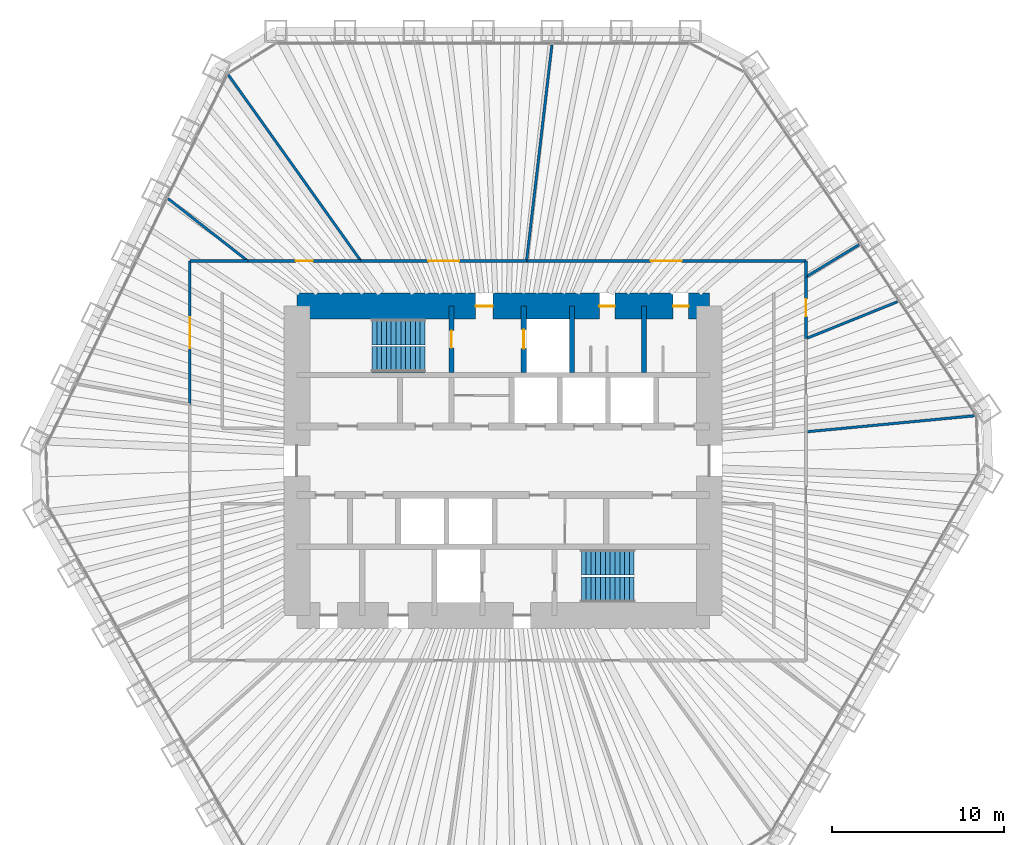
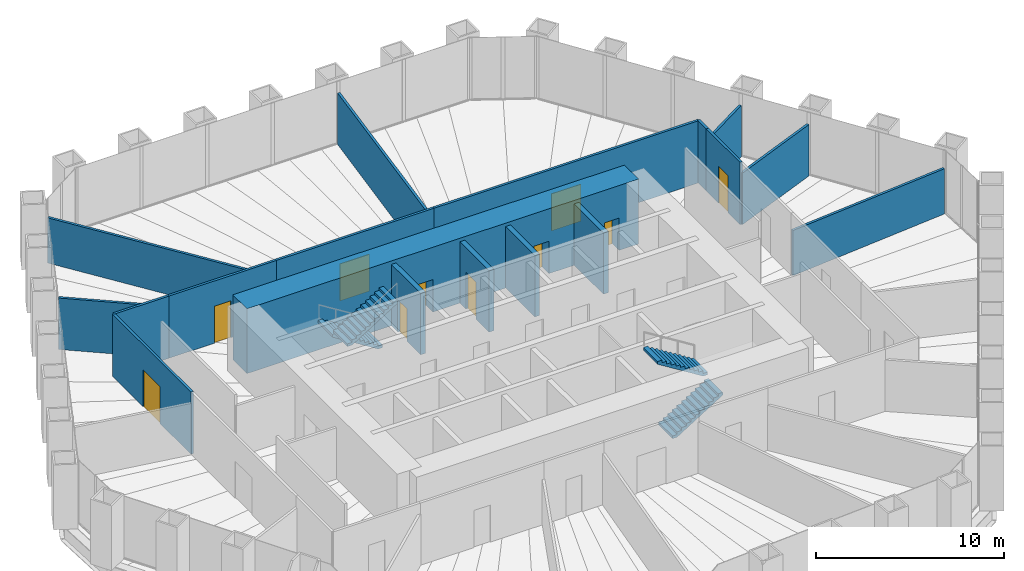
# One storey, part 12 of 13: 18 walls, 10 doors, 4 stair flights, 10 openings, 2 elements without a shape of their own.
"""IFC4 building model written with IfcOpenShell, lengths in metres."""

from ifc_helpers import new_model, si_unit, direction, frame, frame_2d, origin, place, context, subcontext, project, spatial, polyline, rectangle, outline, extrude, material, layer, layer_set, type_object, element, fill, aggregate, save


model = new_model("IFC4")

# Units and contexts
model_context = context("Model", 3, precision=1e-05, world=origin(), true_north=direction((0.0, 1.0)))
body_context = subcontext(model_context, "Body", "Model", "MODEL_VIEW")
ifc_project = project(units=[si_unit("LENGTHUNIT", "METRE"), si_unit("AREAUNIT", "SQUARE_METRE"), si_unit("VOLUMEUNIT", "CUBIC_METRE"), si_unit("PLANEANGLEUNIT", "RADIAN"), si_unit("MASSUNIT", "GRAM", prefix="KILO")], contexts=[model_context])

# Site, building, storey
site_placement = place(None, origin())
site = spatial("IfcSite", under=ifc_project, at=site_placement, CompositionType="ELEMENT")
building_placement = place(site_placement, origin())
building = spatial("IfcBuilding", under=site, at=building_placement, Name="Qingtian Harvest Tower", CompositionType="ELEMENT")
storey_placement = place(building_placement, frame((0.0, 0.0, 124.0)))
storey = spatial("IfcBuildingStorey", under=building, at=storey_placement, Name="L25", CompositionType="ELEMENT", Elevation=124.0)

# Wall, opening, door
ifc_material_1 = material(Name="Precast concrete shaft panel", Category="concrete")
ifc_layer_1 = layer(ifc_material_1, 0.300048828125)
ifc_layer_set_1 = layer_set([ifc_layer_1], Name="Core shaft partition SW1 300")
wall_type_1 = type_object("IfcWallType", Name="Core shaft partition SW1 300", PredefinedType="PARTITIONING", material=ifc_layer_set_1)
wall_1_placement = place(storey_placement, frame((-3.0, 5.14990234375, 0.0), z_axis=(0.0, 0.0, 1.0), x_axis=(0.0, 1.0, 0.0)))
wall_1 = element("IfcWall", 1, at=wall_1_placement, inside=storey, type_object=wall_type_1, Name="Core shaft partition XN1 L25", PredefinedType="PARTITIONING", context=body_context, shape_type="SweptSolid", body=[
    extrude(rectangle(XDim=3.85009765625, YDim=0.300048828125, at=frame_2d((1.925048828125, 0.0))), origin(), (0.0, 0.0, 1.0), 3.97998046875),
])
opening_1_placement = place(wall_1_placement, frame((1.425048828125, 0.0, 0.0)))
opening_1 = element("IfcOpeningElement", 2, at=opening_1_placement, cuts=wall_1, Name="Opening FD1", PredefinedType="OPENING", context=body_context, shape_type="SweptSolid", body=[
    extrude(rectangle(XDim=1.0, YDim=2.10009765625, at=frame_2d((0.5, 1.050048828125))), frame((0.0, 0.159912109375, 0.0), z_axis=(0.0, -1.0, 0.0), x_axis=(1.0, 0.0, 0.0)), (0.0, 0.0, 1.0), 0.320068359375),
])
ifc_material_2 = material(Name="Steel-faced door leaf", Category="steel")
door_type_1 = type_object("IfcDoorType", Name="Fire door FD1 single 1 HR", OperationType="SINGLE_SWING_LEFT", PredefinedType="DOOR", material=ifc_material_2)
door_1_placement = place(opening_1_placement, origin())
door_1 = element("IfcDoor", 3, at=door_1_placement, inside=storey, type_object=door_type_1, Name="S1 door L25", OperationType="SINGLE_SWING_RIGHT", OverallHeight=2.10009765625, OverallWidth=1.0, PredefinedType="DOOR", context=body_context, shape_type="SweptSolid", body=[
    extrude(rectangle(XDim=1.0, YDim=2.10009765625, at=frame_2d((0.5, 1.050048828125))), frame((0.0, 0.02490234375, 0.0), z_axis=(0.0, -1.0, 0.0), x_axis=(1.0, 0.0, 0.0)), (0.0, 0.0, 1.0), 0.050048828125),
])
fill(opening_1, door_1)

wall_2_placement = place(storey_placement, frame((1.199951171875, 5.14990234375, 0.0), z_axis=(0.0, 0.0, 1.0), x_axis=(0.0, 1.0, 0.0)))
wall_2 = element("IfcWall", 4, at=wall_2_placement, inside=storey, type_object=wall_type_1, Name="Core shaft partition XN2 L25", PredefinedType="PARTITIONING", context=body_context, shape_type="SweptSolid", body=[
    extrude(rectangle(XDim=3.85009765625, YDim=0.300048828125, at=frame_2d((1.925048828125, 0.0))), origin(), (0.0, 0.0, 1.0), 3.97998046875),
])
opening_2_placement = place(wall_2_placement, frame((1.375, 0.0, 0.0)))
opening_2 = element("IfcOpeningElement", 5, at=opening_2_placement, cuts=wall_2, Name="Opening LD1", PredefinedType="OPENING", context=body_context, shape_type="SweptSolid", body=[
    extrude(rectangle(XDim=1.10009765625, YDim=2.39990234375, at=frame_2d((0.550048828125, 1.199951171875))), frame((0.0, 0.159912109375, 0.0), z_axis=(0.0, -1.0, 0.0), x_axis=(1.0, 0.0, 0.0)), (0.0, 0.0, 1.0), 0.320068359375),
])
ifc_material_3 = material(Name="Stainless steel lift landing door", Category="steel")
door_type_2 = type_object("IfcDoorType", Name="Lift landing door LD1 1 HR", OperationType="DOUBLE_DOOR_SLIDING", PredefinedType="DOOR", material=ifc_material_3)
door_2_placement = place(opening_2_placement, origin())
door_2 = element("IfcDoor", 6, at=door_2_placement, inside=storey, type_object=door_type_2, Name="FL1 landing door L25", OperationType="DOUBLE_DOOR_SLIDING", OverallHeight=2.39990234375, OverallWidth=1.10009765625, PredefinedType="DOOR", context=body_context, shape_type="SweptSolid", body=[
    extrude(rectangle(XDim=1.10009765625, YDim=2.39990234375, at=frame_2d((0.550048828125, 1.199951171875))), frame((0.0, 0.02490234375, 0.0), z_axis=(0.0, -1.0, 0.0), x_axis=(1.0, 0.0, 0.0)), (0.0, 0.0, 1.0), 0.050048828125),
])
fill(opening_2, door_2)

# Walls
for number, where, z_axis, x_axis, name in (
    (7, (4.0, 5.14990234375, 0.0), (0.0, 0.0, 1.0), (0.0, 1.0, 0.0), "Core shaft partition XN3 L25"),
    (8, (8.199951171875, 5.14990234375, 0.0), (0.0, 0.0, 1.0), (0.0, 1.0, 0.0), "Core shaft partition XN4 L25"),
):
    element("IfcWall", number, at=place(storey_placement, frame(where, z_axis=z_axis, x_axis=x_axis)), inside=storey, type_object=wall_type_1, Name=name, PredefinedType="PARTITIONING", context=body_context, shape_type="SweptSolid", body=[
        extrude(rectangle(XDim=3.85009765625, YDim=0.300048828125, at=frame_2d((1.925048828125, 0.0))), origin(), (0.0, 0.0, 1.0), 3.97998046875),
    ])

# Wall, openings, doors
ifc_material_4 = material(Name="Concrete fc' 70 MPa", Category="concrete")
ifc_layer_2 = layer(ifc_material_4, 1.5)
ifc_layer_set_2 = layer_set([ifc_layer_2], Name="Core wall RC1 1500")
wall_type_2 = type_object("IfcWallType", Name="Core wall RC1 1500", PredefinedType="SHEAR", material=ifc_layer_set_2)
wall_3_placement = place(storey_placement, frame((-12.0, 9.0, 0.0), z_axis=(0.0, 0.0, 1.0), x_axis=(1.0, 0.0, 0.0)))
wall_3 = element("IfcWall", 9, at=wall_3_placement, inside=storey, type_object=wall_type_2, Name="Core wall CN L25", PredefinedType="SHEAR", context=body_context, shape_type="SweptSolid", body=[
    extrude(rectangle(XDim=24.0, YDim=1.5, at=frame_2d((12.0, 0.0))), origin(), (0.0, 0.0, 1.0), 4.199951171875),
])
opening_3_placement = place(wall_3_placement, frame((10.39990234375, 0.0, 0.0)))
opening_3 = element("IfcOpeningElement", 10, at=opening_3_placement, cuts=wall_3, Name="Opening FD1", PredefinedType="OPENING", context=body_context, shape_type="SweptSolid", body=[
    extrude(rectangle(XDim=1.0, YDim=2.10009765625, at=frame_2d((0.5, 1.050048828125))), frame((0.0, 0.760009765625, 0.0), z_axis=(0.0, -1.0, 0.0), x_axis=(1.0, 0.0, 0.0)), (0.0, 0.0, 1.0), 1.52001953125),
])
opening_4_placement = place(wall_3_placement, frame((17.60009765625, 0.0, 0.0)))
opening_4 = element("IfcOpeningElement", 11, at=opening_4_placement, cuts=wall_3, Name="Opening D1", PredefinedType="OPENING", context=body_context, shape_type="SweptSolid", body=[
    extrude(rectangle(XDim=0.89990234375, YDim=2.10009765625, at=frame_2d((0.449951171875, 1.050048828125))), frame((0.0, 0.760009765625, 0.0), z_axis=(0.0, -1.0, 0.0), x_axis=(1.0, 0.0, 0.0)), (0.0, 0.0, 1.0), 1.52001953125),
])
opening_5_placement = place(wall_3_placement, frame((21.89990234375, 0.0, 0.0)))
opening_5 = element("IfcOpeningElement", 12, at=opening_5_placement, cuts=wall_3, Name="Opening D1", PredefinedType="OPENING", context=body_context, shape_type="SweptSolid", body=[
    extrude(rectangle(XDim=0.89990234375, YDim=2.10009765625, at=frame_2d((0.449951171875, 1.050048828125))), frame((0.0, 0.760009765625, 0.0), z_axis=(0.0, -1.0, 0.0), x_axis=(1.0, 0.0, 0.0)), (0.0, 0.0, 1.0), 1.52001953125),
])
door_3_placement = place(opening_3_placement, origin())
door_3 = element("IfcDoor", 13, at=door_3_placement, inside=storey, type_object=door_type_1, Name="V1 door L25", OperationType="SINGLE_SWING_RIGHT", OverallHeight=2.10009765625, OverallWidth=1.0, PredefinedType="DOOR", context=body_context, shape_type="SweptSolid", body=[
    extrude(rectangle(XDim=1.0, YDim=2.10009765625, at=frame_2d((0.5, 1.050048828125))), frame((0.0, 0.02490234375, 0.0), z_axis=(0.0, -1.0, 0.0), x_axis=(1.0, 0.0, 0.0)), (0.0, 0.0, 1.0), 0.050048828125),
])
fill(opening_3, door_3)
ifc_material_5 = material(Name="Laminated timber door leaf", Category="wood")
door_type_3 = type_object("IfcDoorType", Name="Toilet door D1 single", OperationType="SINGLE_SWING_LEFT", PredefinedType="DOOR", material=ifc_material_5)
door_4_placement = place(opening_4_placement, origin())
door_4 = element("IfcDoor", 14, at=door_4_placement, inside=storey, type_object=door_type_3, Name="WCM door L25", OperationType="SINGLE_SWING_RIGHT", OverallHeight=2.10009765625, OverallWidth=0.89990234375, PredefinedType="DOOR", context=body_context, shape_type="SweptSolid", body=[
    extrude(rectangle(XDim=0.89990234375, YDim=2.10009765625, at=frame_2d((0.449951171875, 1.050048828125))), frame((0.0, 0.02490234375, 0.0), z_axis=(0.0, -1.0, 0.0), x_axis=(1.0, 0.0, 0.0)), (0.0, 0.0, 1.0), 0.050048828125),
])
fill(opening_4, door_4)
door_5_placement = place(opening_5_placement, origin())
door_5 = element("IfcDoor", 15, at=door_5_placement, inside=storey, type_object=door_type_3, Name="WCF door L25", OperationType="SINGLE_SWING_RIGHT", OverallHeight=2.10009765625, OverallWidth=0.89990234375, PredefinedType="DOOR", context=body_context, shape_type="SweptSolid", body=[
    extrude(rectangle(XDim=0.89990234375, YDim=2.10009765625, at=frame_2d((0.449951171875, 1.050048828125))), frame((0.0, 0.02490234375, 0.0), z_axis=(0.0, -1.0, 0.0), x_axis=(1.0, 0.0, 0.0)), (0.0, 0.0, 1.0), 0.050048828125),
])
fill(opening_5, door_5)

# Wall, opening, door
ifc_material_6 = material(Name="Gypsum board on steel studs", Category="steel")
ifc_layer_3 = layer(ifc_material_6, 0.14990234375)
ifc_layer_set_3 = layer_set([ifc_layer_3], Name="Partition PT1 150")
wall_type_3 = type_object("IfcWallType", Name="Partition PT1 150", PredefinedType="PARTITIONING", material=ifc_layer_set_3)
wall_4_placement = place(storey_placement, frame((-18.22509765625, 3.281005859375, 0.0), z_axis=(0.0, 0.0, 1.0), x_axis=(0.0, 1.0, 0.0)))
wall_4 = element("IfcWall", 16, at=wall_4_placement, inside=storey, type_object=wall_type_3, Name="Test kitchen wall L25", PredefinedType="PARTITIONING", context=body_context, shape_type="SweptSolid", body=[
    extrude(rectangle(XDim=8.343994140625, YDim=0.14990234375, at=frame_2d((4.171875, 0.0))), origin(), (0.0, 0.0, 1.0), 4.030029296875),
])
opening_6_placement = place(wall_4_placement, frame((3.27197265625, 0.0, 0.0)))
opening_6 = element("IfcOpeningElement", 17, at=opening_6_placement, cuts=wall_4, Name="Opening D3", PredefinedType="OPENING", context=body_context, shape_type="SweptSolid", body=[
    extrude(rectangle(XDim=1.800048828125, YDim=2.39990234375, at=frame_2d((0.89990234375, 1.199951171875))), frame((0.0, 0.0849609375, 0.0), z_axis=(0.0, -1.0, 0.0), x_axis=(1.0, 0.0, 0.0)), (0.0, 0.0, 1.0), 0.169921875),
])
ifc_material_7 = material(Name="Laminated timber door leaf", Category="wood")
door_type_4 = type_object("IfcDoorType", Name="Room door D3 double", OperationType="DOUBLE_DOOR_DOUBLE_SWING", PredefinedType="DOOR", material=ifc_material_7)
door_6_placement = place(opening_6_placement, origin())
door_6 = element("IfcDoor", 18, at=door_6_placement, inside=storey, type_object=door_type_4, Name="Test kitchen door L25", OperationType="DOUBLE_DOOR_DOUBLE_SWING", OverallHeight=2.39990234375, OverallWidth=1.800048828125, PredefinedType="DOOR", context=body_context, shape_type="SweptSolid", body=[
    extrude(rectangle(XDim=1.800048828125, YDim=2.39990234375, at=frame_2d((0.89990234375, 1.199951171875))), frame((0.0, 0.02490234375, 0.0), z_axis=(0.0, -1.0, 0.0), x_axis=(1.0, 0.0, 0.0)), (0.0, 0.0, 1.0), 0.050048828125),
])
fill(opening_6, door_6)

# Walls
wall_5_placement = place(storey_placement, frame((-18.22509765625, 11.625, 0.0), z_axis=(0.0, 0.0, 1.0), x_axis=(1.0, 0.0, 0.0)))
element("IfcWall", 19, at=wall_5_placement, inside=storey, type_object=wall_type_3, Name="Test kitchen wall L25", PredefinedType="PARTITIONING", context=body_context, shape_type="SweptSolid", body=[
    extrude(rectangle(XDim=3.367919921875, YDim=0.14990234375, at=frame_2d((1.68408203125, 0.0))), origin(), (0.0, 0.0, 1.0), 4.030029296875),
])
wall_6_placement = place(storey_placement, frame((-19.489501953125, 15.249755859375, 0.0), z_axis=(0.0, 0.0, 1.0), x_axis=(0.787549668605, -0.616251182133, 0.0)))
element("IfcWall", 20, at=wall_6_placement, inside=storey, type_object=wall_type_3, Name="Food analysis lab wall L25", PredefinedType="PARTITIONING", context=body_context, shape_type="SweptSolid", body=[
    extrude(rectangle(XDim=5.8818359375, YDim=0.14990234375, at=frame_2d((2.94091796875, 0.0))), origin(), (0.0, 0.0, 1.0), 3.330078125),
])

# Wall, opening, door
wall_7_placement = place(storey_placement, frame((-14.857177734375, 11.625, 0.0), z_axis=(0.0, 0.0, 1.0), x_axis=(1.0, 0.0, 0.0)))
wall_7 = element("IfcWall", 21, at=wall_7_placement, inside=storey, type_object=wall_type_3, Name="Food analysis lab wall L25", PredefinedType="PARTITIONING", context=body_context, shape_type="SweptSolid", body=[
    extrude(rectangle(XDim=6.58056640625, YDim=0.14990234375, at=frame_2d((3.290283203125, 0.0))), origin(), (0.0, 0.0, 1.0), 4.030029296875),
])
opening_7_placement = place(wall_7_placement, frame((2.790283203125, 0.0, 0.0)))
opening_7 = element("IfcOpeningElement", 22, at=opening_7_placement, cuts=wall_7, Name="Opening D2", PredefinedType="OPENING", context=body_context, shape_type="SweptSolid", body=[
    extrude(rectangle(XDim=1.0, YDim=2.39990234375, at=frame_2d((0.5, 1.199951171875))), frame((0.0, 0.0849609375, 0.0), z_axis=(0.0, -1.0, 0.0), x_axis=(1.0, 0.0, 0.0)), (0.0, 0.0, 1.0), 0.169921875),
])
ifc_material_8 = material(Name="Laminated timber door leaf", Category="wood")
door_type_5 = type_object("IfcDoorType", Name="Room door D2 single", OperationType="SINGLE_SWING_LEFT", PredefinedType="DOOR", material=ifc_material_8)
door_7_placement = place(opening_7_placement, origin())
door_7 = element("IfcDoor", 23, at=door_7_placement, inside=storey, type_object=door_type_5, Name="Food analysis lab door L25", OperationType="SINGLE_SWING_RIGHT", OverallHeight=2.39990234375, OverallWidth=1.0, PredefinedType="DOOR", context=body_context, shape_type="SweptSolid", body=[
    extrude(rectangle(XDim=1.0, YDim=2.39990234375, at=frame_2d((0.5, 1.199951171875))), frame((0.0, 0.02490234375, 0.0), z_axis=(0.0, -1.0, 0.0), x_axis=(1.0, 0.0, 0.0)), (0.0, 0.0, 1.0), 0.050048828125),
])
fill(opening_7, door_7)

# Wall
wall_8_placement = place(storey_placement, frame((-15.986572265625, 22.45458984375, 0.0), z_axis=(0.0, 0.0, 1.0), x_axis=(0.579969304452, -0.814638328274, 0.0)))
element("IfcWall", 24, at=wall_8_placement, inside=storey, type_object=wall_type_3, Name="Lab office wall L25", PredefinedType="PARTITIONING", context=body_context, shape_type="SweptSolid", body=[
    extrude(rectangle(XDim=13.293701171875, YDim=0.14990234375, at=frame_2d((6.64697265625, 0.0))), origin(), (0.0, 0.0, 1.0), 2.929931640625),
])

# Wall, opening, door
wall_9_placement = place(storey_placement, frame((-8.276611328125, 11.625, 0.0), z_axis=(0.0, 0.0, 1.0), x_axis=(1.0, 0.0, 0.0)))
wall_9 = element("IfcWall", 25, at=wall_9_placement, inside=storey, type_object=wall_type_3, Name="Lab office wall L25", PredefinedType="PARTITIONING", context=body_context, shape_type="SweptSolid", body=[
    extrude(rectangle(XDim=9.642333984375, YDim=0.14990234375, at=frame_2d((4.8212890625, 0.0))), origin(), (0.0, 0.0, 1.0), 4.030029296875),
])
opening_8_placement = place(wall_9_placement, frame((3.921142578125, 0.0, 0.0)))
opening_8 = element("IfcOpeningElement", 26, at=opening_8_placement, cuts=wall_9, Name="Opening D3", PredefinedType="OPENING", context=body_context, shape_type="SweptSolid", body=[
    extrude(rectangle(XDim=1.800048828125, YDim=2.39990234375, at=frame_2d((0.89990234375, 1.199951171875))), frame((0.0, 0.0849609375, 0.0), z_axis=(0.0, -1.0, 0.0), x_axis=(1.0, 0.0, 0.0)), (0.0, 0.0, 1.0), 0.169921875),
])
door_8_placement = place(opening_8_placement, origin())
door_8 = element("IfcDoor", 27, at=door_8_placement, inside=storey, type_object=door_type_4, Name="Lab office door L25", OperationType="DOUBLE_DOOR_DOUBLE_SWING", OverallHeight=2.39990234375, OverallWidth=1.800048828125, PredefinedType="DOOR", context=body_context, shape_type="SweptSolid", body=[
    extrude(rectangle(XDim=1.800048828125, YDim=2.39990234375, at=frame_2d((0.89990234375, 1.199951171875))), frame((0.0, 0.02490234375, 0.0), z_axis=(0.0, -1.0, 0.0), x_axis=(1.0, 0.0, 0.0)), (0.0, 0.0, 1.0), 0.050048828125),
])
fill(opening_8, door_8)

# Wall
wall_10_placement = place(storey_placement, frame((2.843017578125, 24.20068359375, 0.0), z_axis=(0.0, 0.0, 1.0), x_axis=(-0.116670084723, -0.993170726175, 0.0)))
element("IfcWall", 28, at=wall_10_placement, inside=storey, type_object=wall_type_3, Name="Office suite wall L25", PredefinedType="PARTITIONING", context=body_context, shape_type="SweptSolid", body=[
    extrude(rectangle(XDim=12.662109375, YDim=0.14990234375, at=frame_2d((6.3310546875, 0.0))), origin(), (0.0, 0.0, 1.0), 3.330078125),
])

# Wall, opening, door
wall_11_placement = place(storey_placement, frame((1.36572265625, 11.625, 0.0), z_axis=(0.0, 0.0, 1.0), x_axis=(1.0, 0.0, 0.0)))
wall_11 = element("IfcWall", 29, at=wall_11_placement, inside=storey, type_object=wall_type_3, Name="Office suite wall L25", PredefinedType="PARTITIONING", context=body_context, shape_type="SweptSolid", body=[
    extrude(rectangle(XDim=16.25927734375, YDim=0.14990234375, at=frame_2d((8.129638671875, 0.0))), origin(), (0.0, 0.0, 1.0), 4.030029296875),
])
opening_9_placement = place(wall_11_placement, frame((7.229736328125, 0.0, 0.0)))
opening_9 = element("IfcOpeningElement", 30, at=opening_9_placement, cuts=wall_11, Name="Opening D3", PredefinedType="OPENING", context=body_context, shape_type="SweptSolid", body=[
    extrude(rectangle(XDim=1.800048828125, YDim=2.39990234375, at=frame_2d((0.89990234375, 1.199951171875))), frame((0.0, 0.0849609375, 0.0), z_axis=(0.0, -1.0, 0.0), x_axis=(1.0, 0.0, 0.0)), (0.0, 0.0, 1.0), 0.169921875),
])
door_9_placement = place(opening_9_placement, origin())
door_9 = element("IfcDoor", 31, at=door_9_placement, inside=storey, type_object=door_type_4, Name="Office suite door L25", OperationType="DOUBLE_DOOR_DOUBLE_SWING", OverallHeight=2.39990234375, OverallWidth=1.800048828125, PredefinedType="DOOR", context=body_context, shape_type="SweptSolid", body=[
    extrude(rectangle(XDim=1.800048828125, YDim=2.39990234375, at=frame_2d((0.89990234375, 1.199951171875))), frame((0.0, 0.02490234375, 0.0), z_axis=(0.0, -1.0, 0.0), x_axis=(1.0, 0.0, 0.0)), (0.0, 0.0, 1.0), 0.050048828125),
])
fill(opening_9, door_9)

# Walls
wall_12_placement = place(storey_placement, frame((17.625, 11.625, 0.0), z_axis=(0.0, 0.0, 1.0), x_axis=(0.0, -1.0, 0.0)))
element("IfcWall", 32, at=wall_12_placement, inside=storey, type_object=wall_type_3, Name="Office suite wall L25", PredefinedType="PARTITIONING", context=body_context, shape_type="SweptSolid", body=[
    extrude(rectangle(XDim=0.92724609375, YDim=0.14990234375, at=frame_2d((0.463623046875, 0.0))), origin(), (0.0, 0.0, 1.0), 4.030029296875),
])
wall_13_placement = place(storey_placement, frame((20.71142578125, 12.571044921875, 0.0), z_axis=(0.0, 0.0, 1.0), x_axis=(-0.854862500505, -0.518854608952, 0.0)))
element("IfcWall", 33, at=wall_13_placement, inside=storey, type_object=wall_type_3, Name="Focus room wall L25", PredefinedType="PARTITIONING", context=body_context, shape_type="SweptSolid", body=[
    extrude(rectangle(XDim=3.6103515625, YDim=0.14990234375, at=frame_2d((1.80517578125, 0.0))), origin(), (0.0, 0.0, 1.0), 3.330078125),
])

# Wall, opening, door
wall_14_placement = place(storey_placement, frame((17.625, 10.69775390625, 0.0), z_axis=(0.0, 0.0, 1.0), x_axis=(0.0, -1.0, 0.0)))
wall_14 = element("IfcWall", 34, at=wall_14_placement, inside=storey, type_object=wall_type_3, Name="Focus room wall L25", PredefinedType="PARTITIONING", context=body_context, shape_type="SweptSolid", body=[
    extrude(rectangle(XDim=3.591796875, YDim=0.14990234375, at=frame_2d((1.7958984375, 0.0))), origin(), (0.0, 0.0, 1.0), 4.030029296875),
])
opening_10_placement = place(wall_14_placement, frame((1.2958984375, 0.0, 0.0)))
opening_10 = element("IfcOpeningElement", 35, at=opening_10_placement, cuts=wall_14, Name="Opening D2", PredefinedType="OPENING", context=body_context, shape_type="SweptSolid", body=[
    extrude(rectangle(XDim=1.0, YDim=2.39990234375, at=frame_2d((0.5, 1.199951171875))), frame((0.0, 0.0849609375, 0.0), z_axis=(0.0, -1.0, 0.0), x_axis=(1.0, 0.0, 0.0)), (0.0, 0.0, 1.0), 0.169921875),
])
door_10_placement = place(opening_10_placement, origin())
door_10 = element("IfcDoor", 36, at=door_10_placement, inside=storey, type_object=door_type_5, Name="Focus room door L25", OperationType="SINGLE_SWING_RIGHT", OverallHeight=2.39990234375, OverallWidth=1.0, PredefinedType="DOOR", context=body_context, shape_type="SweptSolid", body=[
    extrude(rectangle(XDim=1.0, YDim=2.39990234375, at=frame_2d((0.5, 1.199951171875))), frame((0.0, 0.02490234375, 0.0), z_axis=(0.0, -1.0, 0.0), x_axis=(1.0, 0.0, 0.0)), (0.0, 0.0, 1.0), 0.050048828125),
])
fill(opening_10, door_10)

# Walls
wall_15_placement = place(storey_placement, frame((22.951416015625, 9.253662109375, 0.0), z_axis=(0.0, 0.0, 1.0), x_axis=(-0.927444087873, -0.373961848147, 0.0)))
element("IfcWall", 37, at=wall_15_placement, inside=storey, type_object=wall_type_3, Name="Pantry wall L25", PredefinedType="PARTITIONING", context=body_context, shape_type="SweptSolid", body=[
    extrude(rectangle(XDim=5.7431640625, YDim=0.14990234375, at=frame_2d((2.87158203125, 0.0))), origin(), (0.0, 0.0, 1.0), 3.330078125),
])
wall_16_placement = place(storey_placement, frame((27.439453125, 2.61767578125, 0.0), z_axis=(0.0, 0.0, 1.0), x_axis=(-0.995480435234, -0.094966852466, 0.0)))
element("IfcWall", 38, at=wall_16_placement, inside=storey, type_object=wall_type_3, Name="Specimen store wall L25", PredefinedType="PARTITIONING", context=body_context, shape_type="SweptSolid", body=[
    extrude(rectangle(XDim=9.859130859375, YDim=0.14990234375, at=frame_2d((4.9296875, 0.0))), origin(), (0.0, 0.0, 1.0), 2.929931640625),
])

# Stair, stair flights
ifc_material_9 = material(Name="Concrete fc' 35 MPa", Category="concrete")
stair_type = type_object("IfcStairType", Name="Special stair ST3 4200", PredefinedType="HALF_TURN_STAIR", material=ifc_material_9)
stair_1_placement = place(storey_placement, origin())
stair_1 = element("IfcStair", 39, at=stair_1_placement, inside=storey, type_object=stair_type, Name="Special stair S1 L25", PredefinedType="HALF_TURN_STAIR")
ifc_material_10 = material(Name="Concrete fc' 35 MPa", Category="concrete")
stair_flight_type = type_object("IfcStairFlightType", Name="Stair flight SF3 4200", PredefinedType="STRAIGHT", material=ifc_material_10)
stair_flight_1_placement = place(storey_placement, frame((-4.550048828125, 7.5, 0.0), z_axis=(0.0, 0.0, 1.0), x_axis=(-1.0, 0.0, 0.0)))
stair_flight_1 = element("IfcStairFlight", 40, at=stair_flight_1_placement, type_object=stair_flight_type, Name="S1 flight 1", NumberOfRisers=12, NumberOfTreads=11, PredefinedType="STRAIGHT", RiserHeight=0.175, TreadLength=0.28, context=body_context, shape_type="SweptSolid", body=[
    extrude(outline(polyline([(0.0, 0.0), (0.0, 0.175048828125), (0.280029296875, 0.175048828125), (0.280029296875, 0.35009765625), (0.56005859375, 0.35009765625), (0.56005859375, 0.52490234375), (0.840087890625, 0.52490234375), (0.840087890625, 0.699951171875), (1.1201171875, 0.699951171875), (1.1201171875, 0.875), (1.39990234375, 0.875), (1.39990234375, 1.050048828125), (1.679931640625, 1.050048828125), (1.679931640625, 1.22509765625), (1.9599609375, 1.22509765625), (1.9599609375, 1.39990234375), (2.239990234375, 1.39990234375), (2.239990234375, 1.574951171875), (2.52001953125, 1.574951171875), (2.52001953125, 1.75), (2.800048828125, 1.75), (2.800048828125, 1.925048828125), (3.080078125, 1.925048828125), (3.080078125, 2.10009765625), (3.080078125, 1.748291015625), (0.28271484375, 0.0), (0.0, 0.0)])), frame((0.0, 0.75, 0.0), z_axis=(0.0, -1.0, 0.0), x_axis=(1.0, 0.0, 0.0)), (0.0, 0.0, 1.0), 1.5),
])
stair_flight_2_placement = place(storey_placement, frame((-7.6298828125, 5.89990234375, 2.10009765625), z_axis=(0.0, 0.0, 1.0), x_axis=(1.0, 0.0, 0.0)))
stair_flight_2 = element("IfcStairFlight", 41, at=stair_flight_2_placement, type_object=stair_flight_type, Name="S1 flight 2", NumberOfRisers=12, NumberOfTreads=11, PredefinedType="STRAIGHT", RiserHeight=0.175, TreadLength=0.28, context=body_context, shape_type="SweptSolid", body=[
    extrude(outline(polyline([(0.0, 0.0), (0.0, 0.175048828125), (0.280029296875, 0.175048828125), (0.280029296875, 0.35009765625), (0.56005859375, 0.35009765625), (0.56005859375, 0.52490234375), (0.840087890625, 0.52490234375), (0.840087890625, 0.699951171875), (1.1201171875, 0.699951171875), (1.1201171875, 0.875), (1.39990234375, 0.875), (1.39990234375, 1.050048828125), (1.679931640625, 1.050048828125), (1.679931640625, 1.22509765625), (1.9599609375, 1.22509765625), (1.9599609375, 1.39990234375), (2.239990234375, 1.39990234375), (2.239990234375, 1.574951171875), (2.52001953125, 1.574951171875), (2.52001953125, 1.75), (2.800048828125, 1.75), (2.800048828125, 1.925048828125), (3.080078125, 1.925048828125), (3.080078125, 2.10009765625), (3.080078125, 1.748291015625), (0.28271484375, 0.0), (0.0, 0.0)])), frame((0.0, 0.75, 0.0), z_axis=(0.0, -1.0, 0.0), x_axis=(1.0, 0.0, 0.0)), (0.0, 0.0, 1.0), 1.5),
])
aggregate(stair_1, [stair_flight_1, stair_flight_2])

stair_2_placement = place(storey_placement, origin())
stair_2 = element("IfcStair", 42, at=stair_2_placement, inside=storey, type_object=stair_type, Name="Special stair S2 L25", PredefinedType="HALF_TURN_STAIR")
stair_flight_3_placement = place(storey_placement, frame((4.550048828125, -7.5, 0.0), z_axis=(0.0, 0.0, 1.0), x_axis=(1.0, 0.0, 0.0)))
stair_flight_3 = element("IfcStairFlight", 43, at=stair_flight_3_placement, type_object=stair_flight_type, Name="S2 flight 1", NumberOfRisers=12, NumberOfTreads=11, PredefinedType="STRAIGHT", RiserHeight=0.175, TreadLength=0.28, context=body_context, shape_type="SweptSolid", body=[
    extrude(outline(polyline([(0.0, 0.0), (0.0, 0.175048828125), (0.280029296875, 0.175048828125), (0.280029296875, 0.35009765625), (0.56005859375, 0.35009765625), (0.56005859375, 0.52490234375), (0.840087890625, 0.52490234375), (0.840087890625, 0.699951171875), (1.1201171875, 0.699951171875), (1.1201171875, 0.875), (1.39990234375, 0.875), (1.39990234375, 1.050048828125), (1.679931640625, 1.050048828125), (1.679931640625, 1.22509765625), (1.9599609375, 1.22509765625), (1.9599609375, 1.39990234375), (2.239990234375, 1.39990234375), (2.239990234375, 1.574951171875), (2.52001953125, 1.574951171875), (2.52001953125, 1.75), (2.800048828125, 1.75), (2.800048828125, 1.925048828125), (3.080078125, 1.925048828125), (3.080078125, 2.10009765625), (3.080078125, 1.748291015625), (0.28271484375, 0.0), (0.0, 0.0)])), frame((0.0, 0.75, 0.0), z_axis=(0.0, -1.0, 0.0), x_axis=(1.0, 0.0, 0.0)), (0.0, 0.0, 1.0), 1.5),
])
stair_flight_4_placement = place(storey_placement, frame((7.6298828125, -5.89990234375, 2.10009765625), z_axis=(0.0, 0.0, 1.0), x_axis=(-1.0, 0.0, 0.0)))
stair_flight_4 = element("IfcStairFlight", 44, at=stair_flight_4_placement, type_object=stair_flight_type, Name="S2 flight 2", NumberOfRisers=12, NumberOfTreads=11, PredefinedType="STRAIGHT", RiserHeight=0.175, TreadLength=0.28, context=body_context, shape_type="SweptSolid", body=[
    extrude(outline(polyline([(0.0, 0.0), (0.0, 0.175048828125), (0.280029296875, 0.175048828125), (0.280029296875, 0.35009765625), (0.56005859375, 0.35009765625), (0.56005859375, 0.52490234375), (0.840087890625, 0.52490234375), (0.840087890625, 0.699951171875), (1.1201171875, 0.699951171875), (1.1201171875, 0.875), (1.39990234375, 0.875), (1.39990234375, 1.050048828125), (1.679931640625, 1.050048828125), (1.679931640625, 1.22509765625), (1.9599609375, 1.22509765625), (1.9599609375, 1.39990234375), (2.239990234375, 1.39990234375), (2.239990234375, 1.574951171875), (2.52001953125, 1.574951171875), (2.52001953125, 1.75), (2.800048828125, 1.75), (2.800048828125, 1.925048828125), (3.080078125, 1.925048828125), (3.080078125, 2.10009765625), (3.080078125, 1.748291015625), (0.28271484375, 0.0), (0.0, 0.0)])), frame((0.0, 0.75, 0.0), z_axis=(0.0, -1.0, 0.0), x_axis=(1.0, 0.0, 0.0)), (0.0, 0.0, 1.0), 1.5),
])
aggregate(stair_2, [stair_flight_3, stair_flight_4])

save(model, "model.ifc")
